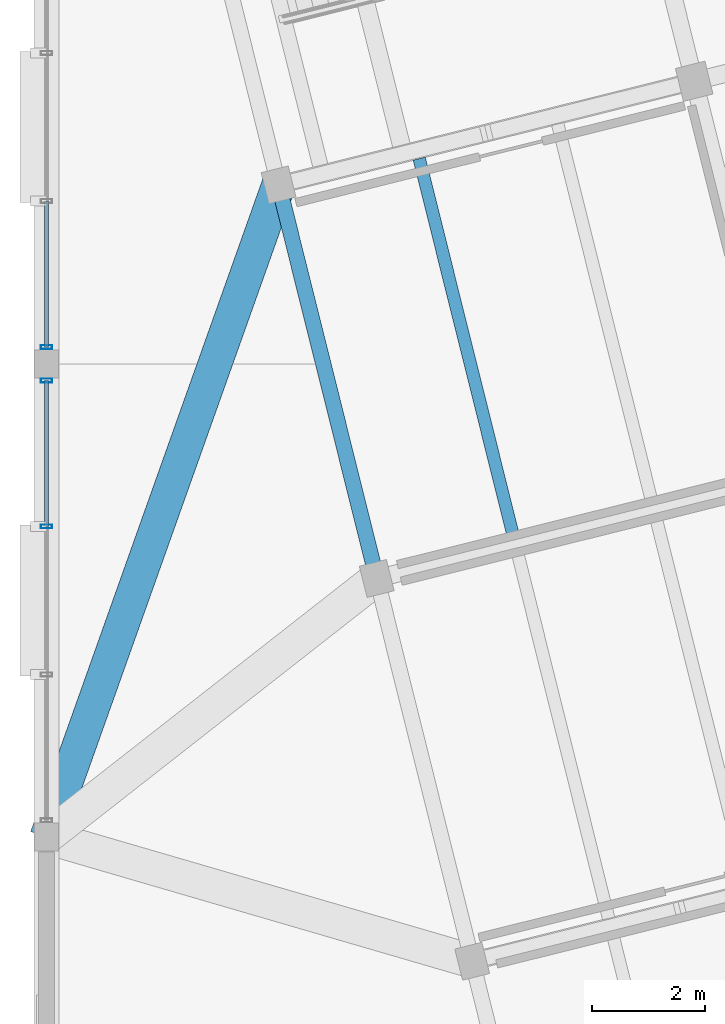
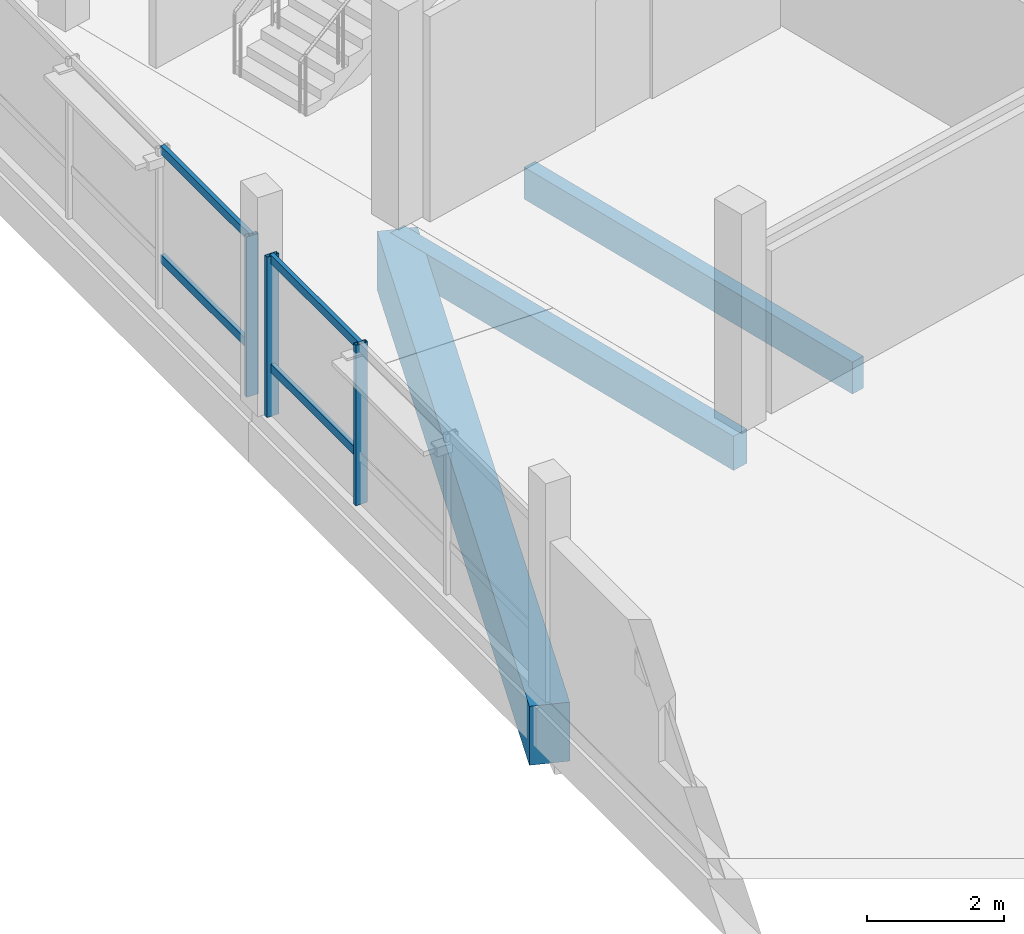
# One storey, part 20 of 62: 7 members, 3 beams, 2 elements without a shape of their own.
"""IFC4 building model written with IfcOpenShell, lengths in metres."""

from ifc_helpers import new_model, si_unit, direction, frame, origin, origin_2d, place, context, subcontext, project, spatial, rectangle, hollow_rectangle, extrude, material, layer, layer_set, material_profile, profile_set, type_object, element, aggregate, save


model = new_model("IFC4")

# Units and contexts
model_context = context("Model", 3, precision=1e-05, world=origin(), true_north=direction((0.0, 1.0)))
body_context = subcontext(model_context, "Body", "Model", "MODEL_VIEW")
ifc_project = project(units=[si_unit("LENGTHUNIT", "METRE"), si_unit("AREAUNIT", "SQUARE_METRE"), si_unit("VOLUMEUNIT", "CUBIC_METRE"), si_unit("PLANEANGLEUNIT", "RADIAN"), si_unit("MASSUNIT", "GRAM", prefix="KILO")], contexts=[model_context])

# Site, building, storey
site_placement = place(None, origin())
site = spatial("IfcSite", under=ifc_project, at=site_placement, CompositionType="ELEMENT")
building_placement = place(site_placement, origin())
building = spatial("IfcBuilding", under=site, at=building_placement, Name="Meriwether Solvik Hall", CompositionType="ELEMENT")
storey_placement = place(building_placement, frame((0.0, 0.0, 14.39990234375)))
storey = spatial("IfcBuildingStorey", under=building, at=storey_placement, Name="L03", CompositionType="ELEMENT", Elevation=14.39990234375)

# Beams
ifc_material_1 = material(Name="Glulam Douglas-Fir 24F-V8 GL28h", Category="wood")
ifc_material_profile_1 = material_profile(ifc_material_1, rectangle(XDim=0.27294921875, YDim=0.610107421875, at=origin_2d()), Name="GLB-273X610")
ifc_profile_set_1 = profile_set([ifc_material_profile_1], Name="Glulam Douglas-Fir 24F-V8 GL28h")
beam_type_1 = type_object("IfcBeamType", Name="BM-GL-273X610", PredefinedType="SPANDREL", material=ifc_profile_set_1)
beam_1_placement = place(storey_placement, frame((65.261474609375, 54.590087890625, -0.5498046875), z_axis=(-0.241937193493, 0.970291911955, 0.0), x_axis=(-0.970291911955, -0.241937193493, 0.0)))
element("IfcBeam", 1, at=beam_1_placement, inside=storey, type_object=beam_type_1, Name="Tower Girder T1:TC-TD (L03)", PredefinedType="SPANDREL", context=body_context, shape_type="SweptSolid", body=[
    extrude(rectangle(XDim=0.27294921875, YDim=0.610107421875, at=origin_2d()), origin(), (0.0, 0.0, 1.0), 7.199951171875),
])
ifc_material_2 = material(Name="Concrete C40/50", Category="concrete")
ifc_material_profile_2 = material_profile(ifc_material_2, rectangle(XDim=0.60009765625, YDim=1.050048828125, at=origin_2d()), Name="RCB-600X1050")
ifc_profile_set_2 = profile_set([ifc_material_profile_2], Name="Concrete C40/50")
beam_type_2 = type_object("IfcBeamType", Name="BM-RC-600X1050", PredefinedType="BEAM", material=ifc_profile_set_2)
beam_2_placement = place(storey_placement, frame((63.51953125, 61.576171875, -0.77001953125), z_axis=(-0.335273852022, -0.942120716337, 0.0), x_axis=(0.942120716337, -0.335273852022, 0.0)))
element("IfcBeam", 2, at=beam_2_placement, inside=storey, type_object=beam_type_2, Name="Diaphragm Collector Girder T1/TD-7/F (L03)", PredefinedType="BEAM", context=body_context, shape_type="SweptSolid", body=[
    extrude(rectangle(XDim=0.60009765625, YDim=1.050048828125, at=origin_2d()), origin(), (0.0, 0.0, 1.0), 12.287353515625),
])

# Curtain wall, members
ifc_material_3 = material(Name="Thermally Broken Anodised Aluminium 6063-T6 and Low-E Glass", Category="aluminium")
ifc_layer = layer(ifc_material_3, 0.179931640625)
ifc_layer_set = layer_set([ifc_layer], Name="Thermally Broken Anodised Aluminium 6063-T6 and Low-E Glass")
curtain_wall_type = type_object("IfcCurtainWallType", Name="CW-UNIT-E", PredefinedType="USERDEFINED", material=ifc_layer_set)
curtain_wall_1_placement = place(storey_placement, origin())
curtain_wall_1 = element("IfcCurtainWall", 3, at=curtain_wall_1_placement, inside=storey, type_object=curtain_wall_type, Name="Curtain Wall wing_Y7_6_29 (L03)", ObjectType="UNITISED CURTAIN WALL", PredefinedType="USERDEFINED")
ifc_material_4 = material(Name="Anodised Aluminium 6063-T6", Category="aluminium")
ifc_material_profile_3 = material_profile(ifc_material_4, hollow_rectangle(XDim=0.070068359375, YDim=0.199951171875, WallThickness=0.0048828125, at=origin_2d()), Name="CWM-70X200")
ifc_profile_set_3 = profile_set([ifc_material_profile_3], Name="Anodised Aluminium 6063-T6")
member_type_1 = type_object("IfcMemberType", Name="CW-MUL-70X200", PredefinedType="MULLION", material=ifc_profile_set_3)
member_1_placement = place(storey_placement, frame((59.39990234375, 55.513427734375, 0.0), z_axis=(0.0, 0.0, 1.0), x_axis=(0.0, 1.0, 0.0)))
member_1 = element("IfcMember", 4, at=member_1_placement, type_object=member_type_1, Name="Curtain Wall Mullion 3", PredefinedType="MULLION", context=body_context, shape_type="SweptSolid", body=[
    extrude(hollow_rectangle(XDim=0.070068359375, YDim=0.199951171875, WallThickness=0.0048828125, at=origin_2d()), origin(), (0.0, 0.0, 1.0), 2.85498046875),
])
member_2_placement = place(storey_placement, frame((59.39990234375, 58.1025390625, 0.0), z_axis=(0.0, 0.0, 1.0), x_axis=(0.0, 1.0, 0.0)))
member_2 = element("IfcMember", 5, at=member_2_placement, type_object=member_type_1, Name="Curtain Wall Mullion 4", PredefinedType="MULLION", context=body_context, shape_type="SweptSolid", body=[
    extrude(hollow_rectangle(XDim=0.070068359375, YDim=0.199951171875, WallThickness=0.0048828125, at=origin_2d()), origin(), (0.0, 0.0, 1.0), 2.85498046875),
])

# Curtain wall, member
curtain_wall_2_placement = place(storey_placement, origin())
curtain_wall_2 = element("IfcCurtainWall", 6, at=curtain_wall_2_placement, inside=storey, type_object=curtain_wall_type, Name="Curtain Wall wing_Y7_7_30 (L03)", ObjectType="UNITISED CURTAIN WALL", PredefinedType="USERDEFINED")
member_3_placement = place(storey_placement, frame((59.39990234375, 58.697509765625, 0.0), z_axis=(0.0, 0.0, 1.0), x_axis=(0.0, 1.0, 0.0)))
member_3 = element("IfcMember", 7, at=member_3_placement, type_object=member_type_1, Name="Curtain Wall Mullion 1", PredefinedType="MULLION", context=body_context, shape_type="SweptSolid", body=[
    extrude(hollow_rectangle(XDim=0.070068359375, YDim=0.199951171875, WallThickness=0.0048828125, at=origin_2d()), origin(), (0.0, 0.0, 1.0), 2.85498046875),
])

# Member
ifc_material_5 = material(Name="Anodised Aluminium 6063-T6", Category="aluminium")
ifc_material_profile_4 = material_profile(ifc_material_5, hollow_rectangle(XDim=0.070068359375, YDim=0.14990234375, WallThickness=0.0048828125, at=origin_2d()), Name="CWT-70X150")
ifc_profile_set_4 = profile_set([ifc_material_profile_4], Name="Anodised Aluminium 6063-T6")
member_type_2 = type_object("IfcMemberType", Name="CW-TRN-70X150", PredefinedType="USERDEFINED", material=ifc_profile_set_4)
member_4_placement = place(storey_placement, frame((59.39990234375, 55.513427734375, 0.856689453125), z_axis=(0.0, 1.0, 0.0), x_axis=(-1.0, 0.0, 0.0)))
member_4 = element("IfcMember", 8, at=member_4_placement, type_object=member_type_2, Name="Curtain Wall Transom 3-sill", ObjectType="TRANSOM", PredefinedType="USERDEFINED", context=body_context, shape_type="SweptSolid", body=[
    extrude(hollow_rectangle(XDim=0.070068359375, YDim=0.14990234375, WallThickness=0.0048828125, at=origin_2d()), origin(), (0.0, 0.0, 1.0), 2.589111328125),
])

member_5_placement = place(storey_placement, frame((59.39990234375, 55.513427734375, 2.795166015625), z_axis=(0.0, 1.0, 0.0), x_axis=(-1.0, 0.0, 0.0)))
member_5 = element("IfcMember", 9, at=member_5_placement, type_object=member_type_2, Name="Curtain Wall Transom 3-head", ObjectType="TRANSOM", PredefinedType="USERDEFINED", context=body_context, shape_type="SweptSolid", body=[
    extrude(hollow_rectangle(XDim=0.070068359375, YDim=0.14990234375, WallThickness=0.0048828125, at=origin_2d()), origin(), (0.0, 0.0, 1.0), 2.589111328125),
])

aggregate(curtain_wall_1, [member_1, member_2, member_4, member_5])

member_6_placement = place(storey_placement, frame((59.39990234375, 58.697509765625, 0.856689453125), z_axis=(0.0, 1.0, 0.0), x_axis=(-1.0, 0.0, 0.0)))
member_6 = element("IfcMember", 10, at=member_6_placement, type_object=member_type_2, Name="Curtain Wall Transom 1-sill", ObjectType="TRANSOM", PredefinedType="USERDEFINED", context=body_context, shape_type="SweptSolid", body=[
    extrude(hollow_rectangle(XDim=0.070068359375, YDim=0.14990234375, WallThickness=0.0048828125, at=origin_2d()), origin(), (0.0, 0.0, 1.0), 2.589111328125),
])

member_7_placement = place(storey_placement, frame((59.39990234375, 58.697509765625, 2.795166015625), z_axis=(0.0, 1.0, 0.0), x_axis=(-1.0, 0.0, 0.0)))
member_7 = element("IfcMember", 11, at=member_7_placement, type_object=member_type_2, Name="Curtain Wall Transom 1-head", ObjectType="TRANSOM", PredefinedType="USERDEFINED", context=body_context, shape_type="SweptSolid", body=[
    extrude(hollow_rectangle(XDim=0.070068359375, YDim=0.14990234375, WallThickness=0.0048828125, at=origin_2d()), origin(), (0.0, 0.0, 1.0), 2.589111328125),
])

aggregate(curtain_wall_2, [member_3, member_6, member_7])

# Beam
ifc_material_6 = material(Name="Glulam Douglas-Fir 24F-V8 GL28h", Category="wood")
ifc_material_profile_5 = material_profile(ifc_material_6, rectangle(XDim=0.221923828125, YDim=0.570068359375, at=origin_2d()), Name="GLJ-222X570")
ifc_profile_set_5 = profile_set([ifc_material_profile_5], Name="Glulam Douglas-Fir 24F-V8 GL28h")
beam_type_3 = type_object("IfcBeamType", Name="JST-GL-222X570", PredefinedType="JOIST", material=ifc_profile_set_5)
beam_3_placement = place(storey_placement, frame((67.6826171875, 55.350830078125, -0.52978515625), z_axis=(-0.241910719241, 0.970298512787, 0.0), x_axis=(-0.970298512787, -0.241910719241, 0.0)))
element("IfcBeam", 12, at=beam_3_placement, inside=storey, type_object=beam_type_3, Name="Glulam Floor Joist T1/TC-J1 (L03)", PredefinedType="JOIST", context=body_context, shape_type="SweptSolid", body=[
    extrude(rectangle(XDim=0.221923828125, YDim=0.570068359375, at=origin_2d()), origin(), (0.0, 0.0, 1.0), 6.89501953125),
])

save(model, "model.ifc")
